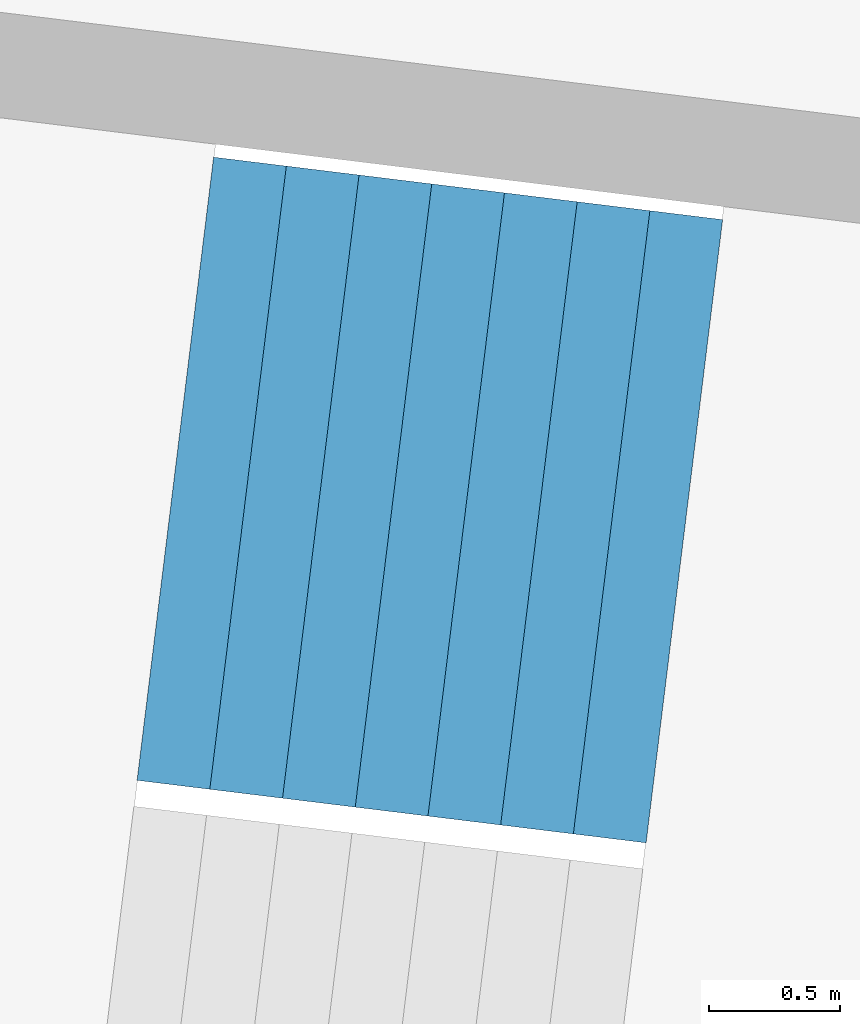
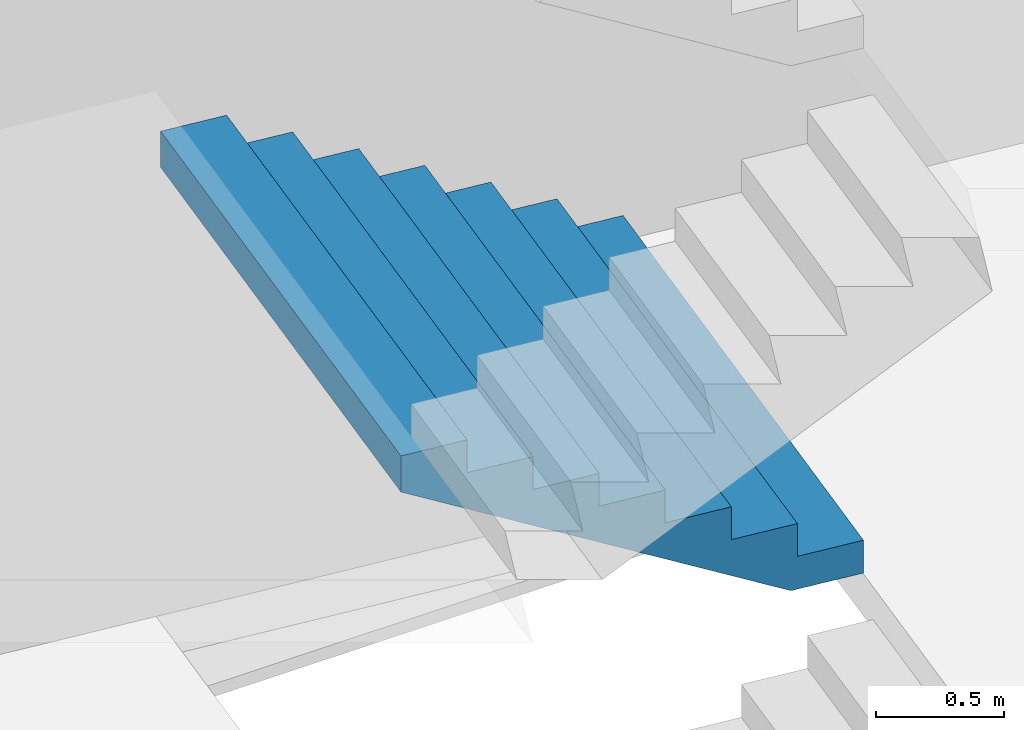
# One storey, part 55 of 73: 1 stair flight, 1 element without a shape of its own.
"""IFC4 building model written with IfcOpenShell, lengths in metres."""

from ifc_helpers import new_model, si_unit, direction, frame, origin, place, context, subcontext, project, spatial, triangles, material, type_object, element, aggregate, save


model = new_model("IFC4")

# Units and contexts
model_context = context("Model", 3, precision=1e-05, world=origin(), true_north=direction((0.0, 1.0)))
body_context = subcontext(model_context, "Body", "Model", "MODEL_VIEW")
ifc_project = project(units=[si_unit("LENGTHUNIT", "METRE"), si_unit("AREAUNIT", "SQUARE_METRE"), si_unit("VOLUMEUNIT", "CUBIC_METRE"), si_unit("PLANEANGLEUNIT", "RADIAN"), si_unit("MASSUNIT", "GRAM", prefix="KILO")], contexts=[model_context])

# Site, building, storey
site_placement = place(None, origin())
site = spatial("IfcSite", under=ifc_project, at=site_placement, CompositionType="ELEMENT")
building_placement = place(site_placement, origin())
building = spatial("IfcBuilding", under=site, at=building_placement, Name="Lantaw Convention Tower", CompositionType="ELEMENT")
storey_placement = place(building_placement, frame((0.0, 0.0, 22.0)))
storey = spatial("IfcBuildingStorey", under=building, at=storey_placement, Name="L03", CompositionType="ELEMENT", Elevation=22.0)

# Stair, stair flight
ifc_material = material(Name="Concrete C35/45", Category="concrete")
stair_type = type_object("IfcStairType", Name="Exit stair 2400 riser 156.25 in 4 flights", PredefinedType="HALF_TURN_STAIR", material=ifc_material)
stair_placement = place(storey_placement, origin())
stair = element("IfcStair", 1, at=stair_placement, inside=storey, type_object=stair_type, Name="Podium exit stair P13 L03", PredefinedType="HALF_TURN_STAIR")
stair_flight_type = type_object("IfcStairFlightType", Name="Stair flight 2400 riser 156.25", PredefinedType="STRAIGHT", material=ifc_material)
stair_flight_placement = place(storey_placement, frame((37.107666015625, -3.296875, 1.25), z_axis=(0.0, 0.0, 1.0), x_axis=(-0.992546151641, 0.121869343405, 0.0)))
stair_flight = element("IfcStairFlight", 2, at=stair_flight_placement, type_object=stair_flight_type, Name="P13 flight 2", NumberOfRisers=8, NumberOfTreads=7, PredefinedType="STRAIGHT", RiserHeight=0.15625, TreadLength=0.28, context=body_context, shape_type="Tessellation", body=[
    triangles([(0.0, 1.199951171875, 0.0), (0.0, 1.199951171875, 0.15625), (0.28, 1.199951171875, 0.0), (0.28, 1.199951171875, 0.15625), (0.28, 1.199951171875, 0.3125), (0.3076200632058044, 1.199951171875, 0.0), (0.3076200632058044, 1.199951171875, 0.3125), (0.56, 1.199951171875, 0.14083701830033238), (0.56, 1.199951171875, 0.3125), (0.56, 1.199951171875, 0.46875), (0.8400000000000001, 1.199951171875, 0.29708701830033235), (0.8400000000000001, 1.199951171875, 0.46875), (0.8400000000000001, 1.199951171875, 0.625), (1.12, 1.199951171875, 0.45333701830033235), (1.12, 1.199951171875, 0.625), (1.12, 1.199951171875, 0.78125), (1.4000000000000001, 1.199951171875, 0.6095870183003324), (1.4000000000000001, 1.199951171875, 0.78125), (1.4000000000000001, 1.199951171875, 0.9375), (1.6800000000000002, 1.199951171875, 0.7658370183003324), (1.6800000000000002, 1.199951171875, 0.9375), (1.6800000000000002, 1.199951171875, 1.09375), (1.9600000000000002, 1.199951171875, 0.9220870183003324), (1.9600000000000002, 1.199951171875, 1.09375), (0.0, -1.199951171875, 0.0), (0.0, -1.199951171875, 0.15625), (0.28, -1.199951171875, 0.0), (0.28, -1.199951171875, 0.15625), (0.28, -1.199951171875, 0.3125), (0.3076200632058044, -1.199951171875, 0.0), (0.3076200632058044, -1.199951171875, 0.3125), (0.56, -1.199951171875, 0.14083701830033238), (0.56, -1.199951171875, 0.3125), (0.56, -1.199951171875, 0.46875), (0.8400000000000001, -1.199951171875, 0.29708701830033235), (0.8400000000000001, -1.199951171875, 0.46875), (0.8400000000000001, -1.199951171875, 0.625), (1.12, -1.199951171875, 0.45333701830033235), (1.12, -1.199951171875, 0.625), (1.12, -1.199951171875, 0.78125), (1.4000000000000001, -1.199951171875, 0.6095870183003324), (1.4000000000000001, -1.199951171875, 0.78125), (1.4000000000000001, -1.199951171875, 0.9375), (1.6800000000000002, -1.199951171875, 0.7658370183003324), (1.6800000000000002, -1.199951171875, 0.9375), (1.6800000000000002, -1.199951171875, 1.09375), (1.9600000000000002, -1.199951171875, 0.9220870183003324), (1.9600000000000002, -1.199951171875, 1.09375), (0.0, 0.239990234375, 0.15625), (0.0, 0.239990234375, 0.0), (0.0, 0.1919921875, 0.15625), (0.0, 0.1919921875, 0.0), (0.0, 0.143994140625, 0.15625), (0.0, 0.143994140625, 0.0), (0.0, 0.09599609375, 0.15625), (0.0, 0.09599609375, 0.0), (0.0, 0.047998046875, 0.15625), (0.0, 0.047998046875, 0.0), (0.0, 0.0, 0.15625), (0.0, 0.0, 0.0), (0.0, -0.047998046875, 0.15625), (0.0, -0.047998046875, 0.0), (0.0, -0.09599609375, 0.15625), (0.0, -0.09599609375, 0.0), (0.0, -0.143994140625, 0.15625), (0.0, -0.143994140625, 0.0), (0.0, -0.1919921875, 0.15625), (0.0, -0.1919921875, 0.0), (0.0, -0.239990234375, 0.15625), (0.0, -0.239990234375, 0.0), (0.28, 0.239990234375, 0.3125), (0.28, 0.239990234375, 0.15625), (0.28, 0.1919921875, 0.3125), (0.28, 0.1919921875, 0.15625), (0.28, 0.143994140625, 0.3125), (0.28, 0.143994140625, 0.15625), (0.28, 0.09599609375, 0.3125), (0.28, 0.09599609375, 0.15625), (0.28, 0.047998046875, 0.3125), (0.28, 0.047998046875, 0.15625), (0.28, 0.0, 0.3125), (0.28, 0.0, 0.15625), (0.28, -0.047998046875, 0.3125), (0.28, -0.047998046875, 0.15625), (0.28, -0.09599609375, 0.3125), (0.28, -0.09599609375, 0.15625), (0.28, -0.143994140625, 0.3125), (0.28, -0.143994140625, 0.15625), (0.28, -0.1919921875, 0.3125), (0.28, -0.1919921875, 0.15625), (0.28, -0.239990234375, 0.3125), (0.28, -0.239990234375, 0.15625), (0.56, 0.239990234375, 0.46875), (0.56, 0.239990234375, 0.3125), (0.56, 0.1919921875, 0.46875), (0.56, 0.1919921875, 0.3125), (0.56, 0.143994140625, 0.46875), (0.56, 0.143994140625, 0.3125), (0.56, 0.09599609375, 0.46875), (0.56, 0.09599609375, 0.3125), (0.56, 0.047998046875, 0.46875), (0.56, 0.047998046875, 0.3125), (0.56, 0.0, 0.46875), (0.56, 0.0, 0.3125), (0.56, -0.047998046875, 0.46875), (0.56, -0.047998046875, 0.3125), (0.56, -0.09599609375, 0.46875), (0.56, -0.09599609375, 0.3125), (0.56, -0.143994140625, 0.46875), (0.56, -0.143994140625, 0.3125), (0.56, -0.1919921875, 0.46875), (0.56, -0.1919921875, 0.3125), (0.56, -0.239990234375, 0.46875), (0.56, -0.239990234375, 0.3125), (0.8400000000000001, 0.239990234375, 0.625), (0.8400000000000001, 0.239990234375, 0.46875), (0.8400000000000001, 0.1919921875, 0.625), (0.8400000000000001, 0.1919921875, 0.46875), (0.8400000000000001, 0.143994140625, 0.625), (0.8400000000000001, 0.143994140625, 0.46875), (0.8400000000000001, 0.09599609375, 0.625), (0.8400000000000001, 0.09599609375, 0.46875), (0.8400000000000001, 0.047998046875, 0.625), (0.8400000000000001, 0.047998046875, 0.46875), (0.8400000000000001, 0.0, 0.625), (0.8400000000000001, 0.0, 0.46875), (0.8400000000000001, -0.047998046875, 0.625), (0.8400000000000001, -0.047998046875, 0.46875), (0.8400000000000001, -0.09599609375, 0.625), (0.8400000000000001, -0.09599609375, 0.46875), (0.8400000000000001, -0.143994140625, 0.625), (0.8400000000000001, -0.143994140625, 0.46875), (0.8400000000000001, -0.1919921875, 0.625), (0.8400000000000001, -0.1919921875, 0.46875), (0.8400000000000001, -0.239990234375, 0.625), (0.8400000000000001, -0.239990234375, 0.46875), (1.12, 0.239990234375, 0.78125), (1.12, 0.239990234375, 0.625), (1.12, 0.1919921875, 0.78125), (1.12, 0.1919921875, 0.625), (1.12, 0.143994140625, 0.78125), (1.12, 0.143994140625, 0.625), (1.12, 0.09599609375, 0.78125), (1.12, 0.09599609375, 0.625), (1.12, 0.047998046875, 0.78125), (1.12, 0.047998046875, 0.625), (1.12, 0.0, 0.78125), (1.12, 0.0, 0.625), (1.12, -0.047998046875, 0.78125), (1.12, -0.047998046875, 0.625), (1.12, -0.09599609375, 0.78125), (1.12, -0.09599609375, 0.625), (1.12, -0.143994140625, 0.78125), (1.12, -0.143994140625, 0.625), (1.12, -0.1919921875, 0.78125), (1.12, -0.1919921875, 0.625), (1.12, -0.239990234375, 0.78125), (1.12, -0.239990234375, 0.625), (1.4000000000000001, 0.239990234375, 0.9375), (1.4000000000000001, 0.239990234375, 0.78125), (1.4000000000000001, 0.1919921875, 0.9375), (1.4000000000000001, 0.1919921875, 0.78125), (1.4000000000000001, 0.143994140625, 0.9375), (1.4000000000000001, 0.143994140625, 0.78125), (1.4000000000000001, 0.09599609375, 0.9375), (1.4000000000000001, 0.09599609375, 0.78125), (1.4000000000000001, 0.047998046875, 0.9375), (1.4000000000000001, 0.047998046875, 0.78125), (1.4000000000000001, 0.0, 0.9375), (1.4000000000000001, 0.0, 0.78125), (1.4000000000000001, -0.047998046875, 0.9375), (1.4000000000000001, -0.047998046875, 0.78125), (1.4000000000000001, -0.09599609375, 0.9375), (1.4000000000000001, -0.09599609375, 0.78125), (1.4000000000000001, -0.143994140625, 0.9375), (1.4000000000000001, -0.143994140625, 0.78125), (1.4000000000000001, -0.1919921875, 0.9375), (1.4000000000000001, -0.1919921875, 0.78125), (1.4000000000000001, -0.239990234375, 0.9375), (1.4000000000000001, -0.239990234375, 0.78125), (1.6800000000000002, 0.239990234375, 1.09375), (1.6800000000000002, 0.239990234375, 0.9375), (1.6800000000000002, 0.1919921875, 1.09375), (1.6800000000000002, 0.1919921875, 0.9375), (1.6800000000000002, 0.143994140625, 1.09375), (1.6800000000000002, 0.143994140625, 0.9375), (1.6800000000000002, 0.09599609375, 1.09375), (1.6800000000000002, 0.09599609375, 0.9375), (1.6800000000000002, 0.047998046875, 1.09375), (1.6800000000000002, 0.047998046875, 0.9375), (1.6800000000000002, 0.0, 1.09375), (1.6800000000000002, 0.0, 0.9375), (1.6800000000000002, -0.047998046875, 1.09375), (1.6800000000000002, -0.047998046875, 0.9375), (1.6800000000000002, -0.09599609375, 1.09375), (1.6800000000000002, -0.09599609375, 0.9375), (1.6800000000000002, -0.143994140625, 1.09375), (1.6800000000000002, -0.143994140625, 0.9375), (1.6800000000000002, -0.1919921875, 1.09375), (1.6800000000000002, -0.1919921875, 0.9375), (1.6800000000000002, -0.239990234375, 1.09375), (1.6800000000000002, -0.239990234375, 0.9375), (0.3076200632058044, 0.239990234375, 0.3125), (0.3076200632058044, 0.1919921875, 0.3125), (0.3076200632058044, 0.143994140625, 0.3125), (0.3076200632058044, 0.09599609375, 0.3125), (0.3076200632058044, 0.047998046875, 0.3125), (0.3076200632058044, 0.0, 0.3125), (0.3076200632058044, -0.047998046875, 0.3125), (0.3076200632058044, -0.09599609375, 0.3125), (0.3076200632058044, -0.143994140625, 0.3125), (0.3076200632058044, -0.1919921875, 0.3125), (0.3076200632058044, -0.239990234375, 0.3125), (1.9600000000000002, 0.239990234375, 1.09375), (1.9600000000000002, 0.1919921875, 1.09375), (1.9600000000000002, 0.143994140625, 1.09375), (1.9600000000000002, 0.09599609375, 1.09375), (1.9600000000000002, 0.047998046875, 1.09375), (1.9600000000000002, 0.0, 1.09375), (1.9600000000000002, -0.047998046875, 1.09375), (1.9600000000000002, -0.09599609375, 1.09375), (1.9600000000000002, -0.143994140625, 1.09375), (1.9600000000000002, -0.1919921875, 1.09375), (1.9600000000000002, -0.239990234375, 1.09375), (1.9600000000000002, 0.239990234375, 0.9220870183003324), (1.9600000000000002, 0.1919921875, 0.9220870183003324), (1.9600000000000002, 0.143994140625, 0.9220870183003324), (1.9600000000000002, 0.09599609375, 0.9220870183003324), (1.9600000000000002, 0.047998046875, 0.9220870183003324), (1.9600000000000002, 0.0, 0.9220870183003324), (1.9600000000000002, -0.047998046875, 0.9220870183003324), (1.9600000000000002, -0.09599609375, 0.9220870183003324), (1.9600000000000002, -0.143994140625, 0.9220870183003324), (1.9600000000000002, -0.1919921875, 0.9220870183003324), (1.9600000000000002, -0.239990234375, 0.9220870183003324), (1.6800000000000002, 0.239990234375, 0.7658370183003324), (1.6800000000000002, 0.1919921875, 0.7658370183003324), (1.6800000000000002, 0.143994140625, 0.7658370183003324), (1.6800000000000002, 0.09599609375, 0.7658370183003324), (1.6800000000000002, 0.047998046875, 0.7658370183003324), (1.6800000000000002, 0.0, 0.7658370183003324), (1.6800000000000002, -0.047998046875, 0.7658370183003324), (1.6800000000000002, -0.09599609375, 0.7658370183003324), (1.6800000000000002, -0.143994140625, 0.7658370183003324), (1.6800000000000002, -0.1919921875, 0.7658370183003324), (1.6800000000000002, -0.239990234375, 0.7658370183003324), (1.4000000000000001, 0.239990234375, 0.6095870183003324), (1.4000000000000001, 0.1919921875, 0.6095870183003324), (1.4000000000000001, 0.143994140625, 0.6095870183003324), (1.4000000000000001, 0.09599609375, 0.6095870183003324), (1.4000000000000001, 0.047998046875, 0.6095870183003324), (1.4000000000000001, 0.0, 0.6095870183003324), (1.4000000000000001, -0.047998046875, 0.6095870183003324), (1.4000000000000001, -0.09599609375, 0.6095870183003324), (1.4000000000000001, -0.143994140625, 0.6095870183003324), (1.4000000000000001, -0.1919921875, 0.6095870183003324), (1.4000000000000001, -0.239990234375, 0.6095870183003324), (1.12, 0.239990234375, 0.45333701830033235), (1.12, 0.1919921875, 0.45333701830033235), (1.12, 0.143994140625, 0.45333701830033235), (1.12, 0.09599609375, 0.45333701830033235), (1.12, 0.047998046875, 0.45333701830033235), (1.12, 0.0, 0.45333701830033235), (1.12, -0.047998046875, 0.45333701830033235), (1.12, -0.09599609375, 0.45333701830033235), (1.12, -0.143994140625, 0.45333701830033235), (1.12, -0.1919921875, 0.45333701830033235), (1.12, -0.239990234375, 0.45333701830033235), (0.8400000000000001, 0.239990234375, 0.29708701830033235), (0.8400000000000001, 0.1919921875, 0.29708701830033235), (0.8400000000000001, 0.143994140625, 0.29708701830033235), (0.8400000000000001, 0.09599609375, 0.29708701830033235), (0.8400000000000001, 0.047998046875, 0.29708701830033235), (0.8400000000000001, 0.0, 0.29708701830033235), (0.8400000000000001, -0.047998046875, 0.29708701830033235), (0.8400000000000001, -0.09599609375, 0.29708701830033235), (0.8400000000000001, -0.143994140625, 0.29708701830033235), (0.8400000000000001, -0.1919921875, 0.29708701830033235), (0.8400000000000001, -0.239990234375, 0.29708701830033235), (0.56, 0.239990234375, 0.14083701830033238), (0.56, 0.1919921875, 0.14083701830033238), (0.56, 0.143994140625, 0.14083701830033238), (0.56, 0.09599609375, 0.14083701830033238), (0.56, 0.047998046875, 0.14083701830033238), (0.56, 0.0, 0.14083701830033238), (0.56, -0.047998046875, 0.14083701830033238), (0.56, -0.09599609375, 0.14083701830033238), (0.56, -0.143994140625, 0.14083701830033238), (0.56, -0.1919921875, 0.14083701830033238), (0.56, -0.239990234375, 0.14083701830033238), (0.3076200632058044, 0.239990234375, 0.0), (0.3076200632058044, 0.1919921875, 0.0), (0.3076200632058044, 0.143994140625, 0.0), (0.3076200632058044, 0.09599609375, 0.0), (0.3076200632058044, 0.047998046875, 0.0), (0.3076200632058044, 0.0, 0.0), (0.3076200632058044, -0.047998046875, 0.0), (0.3076200632058044, -0.09599609375, 0.0), (0.3076200632058044, -0.143994140625, 0.0), (0.3076200632058044, -0.1919921875, 0.0), (0.3076200632058044, -0.239990234375, 0.0), (0.28, 0.239990234375, 0.0), (0.28, 0.1919921875, 0.0), (0.28, 0.143994140625, 0.0), (0.28, 0.09599609375, 0.0), (0.28, 0.047998046875, 0.0), (0.28, 0.0, 0.0), (0.28, -0.047998046875, 0.0), (0.28, -0.09599609375, 0.0), (0.28, -0.143994140625, 0.0), (0.28, -0.1919921875, 0.0), (0.28, -0.239990234375, 0.0)], [[1, 4, 3], [1, 2, 4], [3, 4, 6], [4, 7, 6], [4, 5, 7], [6, 9, 8], [6, 7, 9], [8, 9, 11], [9, 12, 11], [9, 10, 12], [11, 12, 14], [12, 15, 14], [12, 13, 15], [14, 15, 17], [15, 18, 17], [15, 16, 18], [17, 18, 20], [18, 21, 20], [18, 19, 21], [20, 21, 23], [21, 24, 23], [21, 22, 24], [25, 27, 28], [25, 28, 26], [27, 30, 28], [28, 30, 31], [28, 31, 29], [30, 32, 33], [30, 33, 31], [32, 35, 33], [33, 35, 36], [33, 36, 34], [35, 38, 36], [36, 38, 39], [36, 39, 37], [38, 41, 39], [39, 41, 42], [39, 42, 40], [41, 44, 42], [42, 44, 45], [42, 45, 43], [44, 47, 45], [45, 47, 48], [45, 48, 46], [1, 49, 2], [1, 50, 49], [50, 51, 49], [50, 52, 51], [52, 53, 51], [52, 54, 53], [54, 55, 53], [54, 56, 55], [56, 57, 55], [56, 58, 57], [58, 59, 57], [58, 60, 59], [60, 61, 59], [60, 62, 61], [62, 63, 61], [62, 64, 63], [64, 65, 63], [64, 66, 65], [66, 67, 65], [66, 68, 67], [68, 69, 67], [68, 70, 69], [70, 26, 69], [70, 25, 26], [4, 71, 5], [4, 72, 71], [72, 73, 71], [72, 74, 73], [74, 75, 73], [74, 76, 75], [76, 77, 75], [76, 78, 77], [78, 79, 77], [78, 80, 79], [80, 81, 79], [80, 82, 81], [82, 83, 81], [82, 84, 83], [84, 85, 83], [84, 86, 85], [86, 87, 85], [86, 88, 87], [88, 89, 87], [88, 90, 89], [90, 91, 89], [90, 92, 91], [92, 29, 91], [92, 28, 29], [9, 93, 10], [9, 94, 93], [94, 95, 93], [94, 96, 95], [96, 97, 95], [96, 98, 97], [98, 99, 97], [98, 100, 99], [100, 101, 99], [100, 102, 101], [102, 103, 101], [102, 104, 103], [104, 105, 103], [104, 106, 105], [106, 107, 105], [106, 108, 107], [108, 109, 107], [108, 110, 109], [110, 111, 109], [110, 112, 111], [112, 113, 111], [112, 114, 113], [114, 34, 113], [114, 33, 34], [12, 115, 13], [12, 116, 115], [116, 117, 115], [116, 118, 117], [118, 119, 117], [118, 120, 119], [120, 121, 119], [120, 122, 121], [122, 123, 121], [122, 124, 123], [124, 125, 123], [124, 126, 125], [126, 127, 125], [126, 128, 127], [128, 129, 127], [128, 130, 129], [130, 131, 129], [130, 132, 131], [132, 133, 131], [132, 134, 133], [134, 135, 133], [134, 136, 135], [136, 37, 135], [136, 36, 37], [15, 137, 16], [15, 138, 137], [138, 139, 137], [138, 140, 139], [140, 141, 139], [140, 142, 141], [142, 143, 141], [142, 144, 143], [144, 145, 143], [144, 146, 145], [146, 147, 145], [146, 148, 147], [148, 149, 147], [148, 150, 149], [150, 151, 149], [150, 152, 151], [152, 153, 151], [152, 154, 153], [154, 155, 153], [154, 156, 155], [156, 157, 155], [156, 158, 157], [158, 40, 157], [158, 39, 40], [18, 159, 19], [18, 160, 159], [160, 161, 159], [160, 162, 161], [162, 163, 161], [162, 164, 163], [164, 165, 163], [164, 166, 165], [166, 167, 165], [166, 168, 167], [168, 169, 167], [168, 170, 169], [170, 171, 169], [170, 172, 171], [172, 173, 171], [172, 174, 173], [174, 175, 173], [174, 176, 175], [176, 177, 175], [176, 178, 177], [178, 179, 177], [178, 180, 179], [180, 43, 179], [180, 42, 43], [21, 181, 22], [21, 182, 181], [182, 183, 181], [182, 184, 183], [184, 185, 183], [184, 186, 185], [186, 187, 185], [186, 188, 187], [188, 189, 187], [188, 190, 189], [190, 191, 189], [190, 192, 191], [192, 193, 191], [192, 194, 193], [194, 195, 193], [194, 196, 195], [196, 197, 195], [196, 198, 197], [198, 199, 197], [198, 200, 199], [200, 201, 199], [200, 202, 201], [202, 46, 201], [202, 45, 46], [2, 72, 4], [2, 49, 72], [49, 74, 72], [49, 51, 74], [51, 76, 74], [51, 53, 76], [53, 78, 76], [53, 55, 78], [55, 80, 78], [55, 57, 80], [57, 82, 80], [57, 59, 82], [59, 84, 82], [59, 61, 84], [61, 86, 84], [61, 63, 86], [63, 88, 86], [63, 65, 88], [65, 90, 88], [65, 67, 90], [67, 92, 90], [67, 69, 92], [69, 28, 92], [69, 26, 28], [5, 203, 7], [5, 71, 203], [71, 204, 203], [71, 73, 204], [73, 205, 204], [73, 75, 205], [75, 206, 205], [75, 77, 206], [77, 207, 206], [77, 79, 207], [79, 208, 207], [79, 81, 208], [81, 209, 208], [81, 83, 209], [83, 210, 209], [83, 85, 210], [85, 211, 210], [85, 87, 211], [87, 212, 211], [87, 89, 212], [89, 213, 212], [89, 91, 213], [91, 31, 213], [91, 29, 31], [7, 94, 9], [7, 203, 94], [203, 96, 94], [203, 204, 96], [204, 98, 96], [204, 205, 98], [205, 100, 98], [205, 206, 100], [206, 102, 100], [206, 207, 102], [207, 104, 102], [207, 208, 104], [208, 106, 104], [208, 209, 106], [209, 108, 106], [209, 210, 108], [210, 110, 108], [210, 211, 110], [211, 112, 110], [211, 212, 112], [212, 114, 112], [212, 213, 114], [213, 33, 114], [213, 31, 33], [10, 116, 12], [10, 93, 116], [93, 118, 116], [93, 95, 118], [95, 120, 118], [95, 97, 120], [97, 122, 120], [97, 99, 122], [99, 124, 122], [99, 101, 124], [101, 126, 124], [101, 103, 126], [103, 128, 126], [103, 105, 128], [105, 130, 128], [105, 107, 130], [107, 132, 130], [107, 109, 132], [109, 134, 132], [109, 111, 134], [111, 136, 134], [111, 113, 136], [113, 36, 136], [113, 34, 36], [13, 138, 15], [13, 115, 138], [115, 140, 138], [115, 117, 140], [117, 142, 140], [117, 119, 142], [119, 144, 142], [119, 121, 144], [121, 146, 144], [121, 123, 146], [123, 148, 146], [123, 125, 148], [125, 150, 148], [125, 127, 150], [127, 152, 150], [127, 129, 152], [129, 154, 152], [129, 131, 154], [131, 156, 154], [131, 133, 156], [133, 158, 156], [133, 135, 158], [135, 39, 158], [135, 37, 39], [16, 160, 18], [16, 137, 160], [137, 162, 160], [137, 139, 162], [139, 164, 162], [139, 141, 164], [141, 166, 164], [141, 143, 166], [143, 168, 166], [143, 145, 168], [145, 170, 168], [145, 147, 170], [147, 172, 170], [147, 149, 172], [149, 174, 172], [149, 151, 174], [151, 176, 174], [151, 153, 176], [153, 178, 176], [153, 155, 178], [155, 180, 178], [155, 157, 180], [157, 42, 180], [157, 40, 42], [19, 182, 21], [19, 159, 182], [159, 184, 182], [159, 161, 184], [161, 186, 184], [161, 163, 186], [163, 188, 186], [163, 165, 188], [165, 190, 188], [165, 167, 190], [167, 192, 190], [167, 169, 192], [169, 194, 192], [169, 171, 194], [171, 196, 194], [171, 173, 196], [173, 198, 196], [173, 175, 198], [175, 200, 198], [175, 177, 200], [177, 202, 200], [177, 179, 202], [179, 45, 202], [179, 43, 45], [22, 214, 24], [22, 181, 214], [181, 215, 214], [181, 183, 215], [183, 216, 215], [183, 185, 216], [185, 217, 216], [185, 187, 217], [187, 218, 217], [187, 189, 218], [189, 219, 218], [189, 191, 219], [191, 220, 219], [191, 193, 220], [193, 221, 220], [193, 195, 221], [195, 222, 221], [195, 197, 222], [197, 223, 222], [197, 199, 223], [199, 224, 223], [199, 201, 224], [201, 48, 224], [201, 46, 48], [24, 225, 23], [24, 214, 225], [214, 226, 225], [214, 215, 226], [215, 227, 226], [215, 216, 227], [216, 228, 227], [216, 217, 228], [217, 229, 228], [217, 218, 229], [218, 230, 229], [218, 219, 230], [219, 231, 230], [219, 220, 231], [220, 232, 231], [220, 221, 232], [221, 233, 232], [221, 222, 233], [222, 234, 233], [222, 223, 234], [223, 235, 234], [223, 224, 235], [224, 47, 235], [224, 48, 47], [23, 236, 20], [23, 225, 236], [225, 237, 236], [225, 226, 237], [226, 238, 237], [226, 227, 238], [227, 239, 238], [227, 228, 239], [228, 240, 239], [228, 229, 240], [229, 241, 240], [229, 230, 241], [230, 242, 241], [230, 231, 242], [231, 243, 242], [231, 232, 243], [232, 244, 243], [232, 233, 244], [233, 245, 244], [233, 234, 245], [234, 246, 245], [234, 235, 246], [235, 44, 246], [235, 47, 44], [20, 247, 17], [20, 236, 247], [236, 248, 247], [236, 237, 248], [237, 249, 248], [237, 238, 249], [238, 250, 249], [238, 239, 250], [239, 251, 250], [239, 240, 251], [240, 252, 251], [240, 241, 252], [241, 253, 252], [241, 242, 253], [242, 254, 253], [242, 243, 254], [243, 255, 254], [243, 244, 255], [244, 256, 255], [244, 245, 256], [245, 257, 256], [245, 246, 257], [246, 41, 257], [246, 44, 41], [17, 258, 14], [17, 247, 258], [247, 259, 258], [247, 248, 259], [248, 260, 259], [248, 249, 260], [249, 261, 260], [249, 250, 261], [250, 262, 261], [250, 251, 262], [251, 263, 262], [251, 252, 263], [252, 264, 263], [252, 253, 264], [253, 265, 264], [253, 254, 265], [254, 266, 265], [254, 255, 266], [255, 267, 266], [255, 256, 267], [256, 268, 267], [256, 257, 268], [257, 38, 268], [257, 41, 38], [14, 269, 11], [14, 258, 269], [258, 270, 269], [258, 259, 270], [259, 271, 270], [259, 260, 271], [260, 272, 271], [260, 261, 272], [261, 273, 272], [261, 262, 273], [262, 274, 273], [262, 263, 274], [263, 275, 274], [263, 264, 275], [264, 276, 275], [264, 265, 276], [265, 277, 276], [265, 266, 277], [266, 278, 277], [266, 267, 278], [267, 279, 278], [267, 268, 279], [268, 35, 279], [268, 38, 35], [11, 280, 8], [11, 269, 280], [269, 281, 280], [269, 270, 281], [270, 282, 281], [270, 271, 282], [271, 283, 282], [271, 272, 283], [272, 284, 283], [272, 273, 284], [273, 285, 284], [273, 274, 285], [274, 286, 285], [274, 275, 286], [275, 287, 286], [275, 276, 287], [276, 288, 287], [276, 277, 288], [277, 289, 288], [277, 278, 289], [278, 290, 289], [278, 279, 290], [279, 32, 290], [279, 35, 32], [8, 291, 6], [8, 280, 291], [280, 292, 291], [280, 281, 292], [281, 293, 292], [281, 282, 293], [282, 294, 293], [282, 283, 294], [283, 295, 294], [283, 284, 295], [284, 296, 295], [284, 285, 296], [285, 297, 296], [285, 286, 297], [286, 298, 297], [286, 287, 298], [287, 299, 298], [287, 288, 299], [288, 300, 299], [288, 289, 300], [289, 301, 300], [289, 290, 301], [290, 30, 301], [290, 32, 30], [6, 302, 3], [6, 291, 302], [291, 303, 302], [291, 292, 303], [292, 304, 303], [292, 293, 304], [293, 305, 304], [293, 294, 305], [294, 306, 305], [294, 295, 306], [295, 307, 306], [295, 296, 307], [296, 308, 307], [296, 297, 308], [297, 309, 308], [297, 298, 309], [298, 310, 309], [298, 299, 310], [299, 311, 310], [299, 300, 311], [300, 312, 311], [300, 301, 312], [301, 27, 312], [301, 30, 27], [3, 50, 1], [3, 302, 50], [302, 52, 50], [302, 303, 52], [303, 54, 52], [303, 304, 54], [304, 56, 54], [304, 305, 56], [305, 58, 56], [305, 306, 58], [306, 60, 58], [306, 307, 60], [307, 62, 60], [307, 308, 62], [308, 64, 62], [308, 309, 64], [309, 66, 64], [309, 310, 66], [310, 68, 66], [310, 311, 68], [311, 70, 68], [311, 312, 70], [312, 25, 70], [312, 27, 25]], closed=True),
])
aggregate(stair, [stair_flight])

save(model, "model.ifc")
